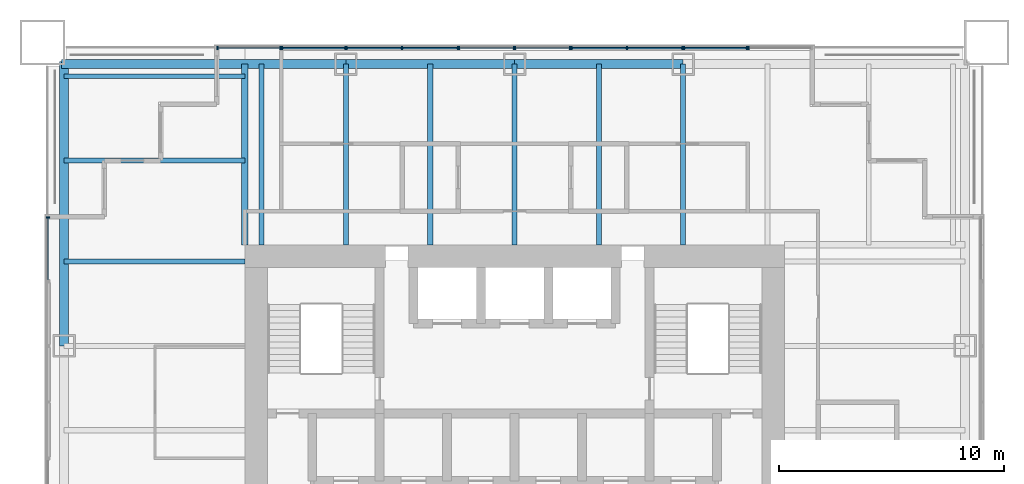
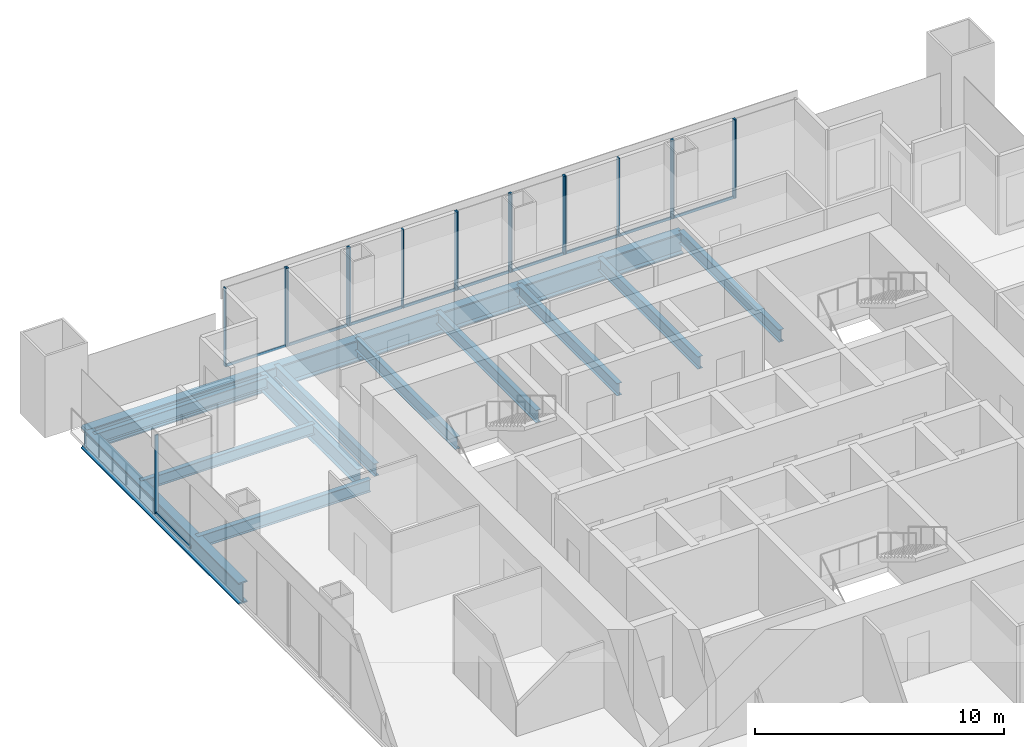
# One storey, part 6 of 14: 28 members, 14 beams, 9 elements without a shape of their own.
"""IFC4 building model written with IfcOpenShell, lengths in metres."""

from ifc_helpers import new_model, si_unit, direction, frame, origin, origin_2d, place, context, subcontext, project, spatial, rectangle, i_section, extrude, material, material_profile, profile_set, type_object, element, aggregate, save


model = new_model("IFC4")

# Units and contexts
model_context = context("Model", 3, precision=1e-05, world=origin(), true_north=direction((0.0, 1.0)))
body_context = subcontext(model_context, "Body", "Model", "MODEL_VIEW")
ifc_project = project(units=[si_unit("LENGTHUNIT", "METRE"), si_unit("AREAUNIT", "SQUARE_METRE"), si_unit("VOLUMEUNIT", "CUBIC_METRE"), si_unit("PLANEANGLEUNIT", "RADIAN"), si_unit("MASSUNIT", "GRAM", prefix="KILO")], contexts=[model_context])

# Site, building, storey
site_placement = place(None, origin())
site = spatial("IfcSite", under=ifc_project, at=site_placement, CompositionType="ELEMENT")
building_placement = place(site_placement, origin())
building = spatial("IfcBuilding", under=site, at=building_placement, Name="Tarangal Relay Tower", CompositionType="ELEMENT")
storey_placement = place(building_placement, frame((0.0, 0.0, 319.89990234375)))
storey = spatial("IfcBuildingStorey", under=building, at=storey_placement, Name="L71", CompositionType="ELEMENT", Elevation=319.89990234375)

# Beams
ifc_material_1 = material(Name="Steel ASTM A992", Category="steel")
ifc_material_profile_1 = material_profile(ifc_material_1, i_section(OverallWidth=0.209228515625, OverallDepth=0.533447265625, WebThickness=0.01025390625, FlangeThickness=0.015625, at=origin_2d()), Name="W21X62")
ifc_profile_set_1 = profile_set([ifc_material_profile_1], Name="Steel ASTM A992")
beam_type_1 = type_object("IfcBeamType", Name="Corner beam W21X62", PredefinedType="JOIST", material=ifc_profile_set_1)
for number, where, z_axis, x_axis, name in (
    (1, (-12.0, 15.75, -0.41650390625), (-1.0, 0.0, 0.0), (0.0, -1.0, 0.0), "Corner beam CB12 W L71"),
    (2, (-12.0, 19.5, -0.41650390625), (-1.0, 0.0, 0.0), (0.0, -1.0, 0.0), "Corner beam CB12 W L71"),
):
    element("IfcBeam", number, at=place(storey_placement, frame(where, z_axis=z_axis, x_axis=x_axis)), inside=storey, type_object=beam_type_1, Name=name, PredefinedType="JOIST", context=body_context, shape_type="SweptSolid", body=[
        extrude(i_section(OverallWidth=0.209228515625, OverallDepth=0.533447265625, WebThickness=0.01025390625, FlangeThickness=0.015625, at=origin_2d()), origin(), (0.0, 0.0, 1.0), 8.0400390625),
    ])
ifc_material_profile_2 = material_profile(ifc_material_1, i_section(OverallWidth=0.2919921875, OverallDepth=0.8408203125, WebThickness=0.0146484375, FlangeThickness=0.021728515625, at=origin_2d()), Name="W33X130")
ifc_profile_set_2 = profile_set([ifc_material_profile_2], Name="Steel ASTM A992")
beam_type_2 = type_object("IfcBeamType", Name="Corner girder W33X130", PredefinedType="BEAM", material=ifc_profile_set_2)
beam_1_placement = place(storey_placement, frame((-12.0, 12.0, -0.5703125), z_axis=(0.0, 1.0, 0.0), x_axis=(-1.0, 0.0, 0.0)))
element("IfcBeam", 3, at=beam_1_placement, inside=storey, type_object=beam_type_2, Name="Corner girder CG5 W L71", PredefinedType="BEAM", context=body_context, shape_type="SweptSolid", body=[
    extrude(i_section(OverallWidth=0.2919921875, OverallDepth=0.8408203125, WebThickness=0.0146484375, FlangeThickness=0.021728515625, at=origin_2d()), origin(), (0.0, 0.0, 1.0), 8.0400390625),
])
ifc_material_profile_3 = material_profile(ifc_material_1, i_section(OverallWidth=0.41162109375, OverallDepth=1.049072265625, WebThickness=0.033935546875, FlangeThickness=0.059814453125, at=origin_2d()), Name="W40X431")
ifc_profile_set_3 = profile_set([ifc_material_profile_3], Name="Steel ASTM A992")
beam_type_3 = type_object("IfcBeamType", Name="Edge girder W40X431", PredefinedType="SPANDREL", material=ifc_profile_set_3)
beam_2_placement = place(storey_placement, frame((-20.14990234375, 20.0400390625, -0.67431640625), z_axis=(1.0, 0.0, 0.0), x_axis=(0.0, 1.0, 0.0)))
element("IfcBeam", 4, at=beam_2_placement, inside=storey, type_object=beam_type_3, Name="Edge girder EG1 N L71", PredefinedType="SPANDREL", context=body_context, shape_type="SweptSolid", body=[
    extrude(i_section(OverallWidth=0.41162109375, OverallDepth=1.049072265625, WebThickness=0.033935546875, FlangeThickness=0.059814453125, at=origin_2d()), origin(), (0.0, 0.0, 1.0), 12.64990234375),
])
for number, where, z_axis, x_axis, name in (
    (5, (-7.5, 20.0400390625, -0.67431640625), (1.0, 0.0, 0.0), (0.0, 1.0, 0.0), "Edge girder EG1 N L71"),
    (6, (0.0, 20.0400390625, -0.67431640625), (1.0, 0.0, 0.0), (0.0, 1.0, 0.0), "Edge girder EG1 N L71"),
):
    element("IfcBeam", number, at=place(storey_placement, frame(where, z_axis=z_axis, x_axis=x_axis)), inside=storey, type_object=beam_type_3, Name=name, PredefinedType="SPANDREL", context=body_context, shape_type="SweptSolid", body=[
        extrude(i_section(OverallWidth=0.41162109375, OverallDepth=1.049072265625, WebThickness=0.033935546875, FlangeThickness=0.059814453125, at=origin_2d()), origin(), (0.0, 0.0, 1.0), 7.5),
    ])
beam_3_placement = place(storey_placement, frame((-20.0400390625, 7.5, -0.67431640625), z_axis=(0.0, 1.0, 0.0), x_axis=(-1.0, 0.0, 0.0)))
element("IfcBeam", 7, at=beam_3_placement, inside=storey, type_object=beam_type_3, Name="Edge girder EG1 W L71", PredefinedType="SPANDREL", context=body_context, shape_type="SweptSolid", body=[
    extrude(i_section(OverallWidth=0.41162109375, OverallDepth=1.049072265625, WebThickness=0.033935546875, FlangeThickness=0.059814453125, at=origin_2d()), origin(), (0.0, 0.0, 1.0), 12.64990234375),
])
ifc_material_profile_4 = material_profile(ifc_material_1, i_section(OverallWidth=0.228271484375, OverallDepth=0.607177734375, WebThickness=0.01123046875, FlangeThickness=0.017333984375, at=origin_2d()), Name="W24X76")
ifc_profile_set_4 = profile_set([ifc_material_profile_4], Name="Steel ASTM A992")
beam_type_4 = type_object("IfcBeamType", Name="Floor beam W24X76", PredefinedType="BEAM", material=ifc_profile_set_4)
for number, where, z_axis, x_axis, name in (
    (8, (-11.25, 12.0, -0.453369140625), (0.0, 1.0, 0.0), (-1.0, 0.0, 0.0), "Floor beam RB5 N L71"),
    (9, (-7.5, 12.0, -0.453369140625), (0.0, 1.0, 0.0), (-1.0, 0.0, 0.0), "Floor beam RB5 N L71"),
    (10, (-3.75, 12.0, -0.453369140625), (0.0, 1.0, 0.0), (-1.0, 0.0, 0.0), "Floor beam RB5 N L71"),
    (11, (0.0, 12.0, -0.453369140625), (0.0, 1.0, 0.0), (-1.0, 0.0, 0.0), "Floor beam RB5 N L71"),
    (12, (3.75, 12.0, -0.453369140625), (0.0, 1.0, 0.0), (-1.0, 0.0, 0.0), "Floor beam RB5 N L71"),
    (13, (7.5, 12.0, -0.453369140625), (0.0, 1.0, 0.0), (-1.0, 0.0, 0.0), "Floor beam RB5 N L71"),
    (14, (-12.0, 11.25, -0.453369140625), (-1.0, 0.0, 0.0), (0.0, -1.0, 0.0), "Floor beam RB5 W L71"),
):
    element("IfcBeam", number, at=place(storey_placement, frame(where, z_axis=z_axis, x_axis=x_axis)), inside=storey, type_object=beam_type_4, Name=name, PredefinedType="BEAM", context=body_context, shape_type="SweptSolid", body=[
        extrude(i_section(OverallWidth=0.228271484375, OverallDepth=0.607177734375, WebThickness=0.01123046875, FlangeThickness=0.017333984375, at=origin_2d()), origin(), (0.0, 0.0, 1.0), 8.0400390625),
    ])

# Curtain wall, members
ifc_material_2 = material(Name="Unitised curtain wall, dark glass and black aluminium", Category="aluminium")
curtain_wall_type_1 = type_object("IfcCurtainWallType", Name="Curtain wall CW-B", PredefinedType="USERDEFINED", material=ifc_material_2)
curtain_wall_1_placement = place(storey_placement, origin())
curtain_wall_1 = element("IfcCurtainWall", 15, at=curtain_wall_1_placement, inside=storey, type_object=curtain_wall_type_1, Name="Curtain wall CW-B N facade L71", ObjectType="UNITISED CURTAIN WALL", PredefinedType="USERDEFINED")
ifc_material_3 = material(Name="Black anodised aluminium mullion", Category="aluminium")
ifc_material_profile_5 = material_profile(ifc_material_3, rectangle(XDim=0.159912109375, YDim=0.06005859375, at=origin_2d()), Name="CW-BM 60X160")
ifc_profile_set_5 = profile_set([ifc_material_profile_5], Name="Black anodised aluminium mullion")
member_type_1 = type_object("IfcMemberType", Name="Mullion CW-B 60 x 160", PredefinedType="MULLION", material=ifc_profile_set_5)
member_1_placement = place(storey_placement, frame((-13.219970703125, 20.75, 0.0), z_axis=(0.0, 0.0, 1.0), x_axis=(0.0, 1.0, 0.0)))
member_1 = element("IfcMember", 16, at=member_1_placement, type_object=member_type_1, Name="CW-B mullion 1", PredefinedType="MULLION", context=body_context, shape_type="SweptSolid", body=[
    extrude(rectangle(XDim=0.159912109375, YDim=0.06005859375, at=origin_2d()), origin(), (0.0, 0.0, 1.0), 3.85009765625),
])
member_2_placement = place(storey_placement, frame((-10.405029296875, 20.75, 0.0), z_axis=(0.0, 0.0, 1.0), x_axis=(0.0, 1.0, 0.0)))
member_2 = element("IfcMember", 17, at=member_2_placement, type_object=member_type_1, Name="CW-B mullion 2", PredefinedType="MULLION", context=body_context, shape_type="SweptSolid", body=[
    extrude(rectangle(XDim=0.159912109375, YDim=0.06005859375, at=origin_2d()), origin(), (0.0, 0.0, 1.0), 3.85009765625),
])

curtain_wall_2_placement = place(storey_placement, origin())
curtain_wall_2 = element("IfcCurtainWall", 18, at=curtain_wall_2_placement, inside=storey, type_object=curtain_wall_type_1, Name="Curtain wall CW-B N facade L71", ObjectType="UNITISED CURTAIN WALL", PredefinedType="USERDEFINED")
member_3_placement = place(storey_placement, frame((-2.469970703125, 20.75, 0.0), z_axis=(0.0, 0.0, 1.0), x_axis=(0.0, 1.0, 0.0)))
member_3 = element("IfcMember", 19, at=member_3_placement, type_object=member_type_1, Name="CW-B mullion 1", PredefinedType="MULLION", context=body_context, shape_type="SweptSolid", body=[
    extrude(rectangle(XDim=0.159912109375, YDim=0.06005859375, at=origin_2d()), origin(), (0.0, 0.0, 1.0), 3.85009765625),
])
member_4_placement = place(storey_placement, frame((-0.030029296875, 20.75, 0.0), z_axis=(0.0, 0.0, 1.0), x_axis=(0.0, 1.0, 0.0)))
member_4 = element("IfcMember", 20, at=member_4_placement, type_object=member_type_1, Name="CW-B mullion 2", PredefinedType="MULLION", context=body_context, shape_type="SweptSolid", body=[
    extrude(rectangle(XDim=0.159912109375, YDim=0.06005859375, at=origin_2d()), origin(), (0.0, 0.0, 1.0), 3.85009765625),
])

curtain_wall_3_placement = place(storey_placement, origin())
curtain_wall_3 = element("IfcCurtainWall", 21, at=curtain_wall_3_placement, inside=storey, type_object=curtain_wall_type_1, Name="Curtain wall CW-B N facade L71", ObjectType="UNITISED CURTAIN WALL", PredefinedType="USERDEFINED")
member_5_placement = place(storey_placement, frame((0.030029296875, 20.75, 0.0), z_axis=(0.0, 0.0, 1.0), x_axis=(0.0, 1.0, 0.0)))
member_5 = element("IfcMember", 22, at=member_5_placement, type_object=member_type_1, Name="CW-B mullion 1", PredefinedType="MULLION", context=body_context, shape_type="SweptSolid", body=[
    extrude(rectangle(XDim=0.159912109375, YDim=0.06005859375, at=origin_2d()), origin(), (0.0, 0.0, 1.0), 3.85009765625),
])
member_6_placement = place(storey_placement, frame((2.469970703125, 20.75, 0.0), z_axis=(0.0, 0.0, 1.0), x_axis=(0.0, 1.0, 0.0)))
member_6 = element("IfcMember", 23, at=member_6_placement, type_object=member_type_1, Name="CW-B mullion 2", PredefinedType="MULLION", context=body_context, shape_type="SweptSolid", body=[
    extrude(rectangle(XDim=0.159912109375, YDim=0.06005859375, at=origin_2d()), origin(), (0.0, 0.0, 1.0), 3.85009765625),
])

# Curtain wall, member
curtain_wall_4_placement = place(storey_placement, origin())
curtain_wall_4 = element("IfcCurtainWall", 24, at=curtain_wall_4_placement, inside=storey, type_object=curtain_wall_type_1, Name="Curtain wall CW-B N facade L71", ObjectType="UNITISED CURTAIN WALL", PredefinedType="USERDEFINED")
member_7_placement = place(storey_placement, frame((10.405029296875, 20.75, 0.0), z_axis=(0.0, 0.0, 1.0), x_axis=(0.0, 1.0, 0.0)))
member_7 = element("IfcMember", 25, at=member_7_placement, type_object=member_type_1, Name="CW-B mullion 1", PredefinedType="MULLION", context=body_context, shape_type="SweptSolid", body=[
    extrude(rectangle(XDim=0.159912109375, YDim=0.06005859375, at=origin_2d()), origin(), (0.0, 0.0, 1.0), 3.85009765625),
])
aggregate(curtain_wall_4, [member_7])

curtain_wall_5_placement = place(storey_placement, origin())
curtain_wall_5 = element("IfcCurtainWall", 26, at=curtain_wall_5_placement, inside=storey, type_object=curtain_wall_type_1, Name="Curtain wall CW-B W facade L71", ObjectType="UNITISED CURTAIN WALL", PredefinedType="USERDEFINED")
member_8_placement = place(storey_placement, frame((-20.75, 13.219970703125, 0.0), z_axis=(0.0, 0.0, 1.0), x_axis=(-1.0, 0.0, 0.0)))
member_8 = element("IfcMember", 27, at=member_8_placement, type_object=member_type_1, Name="CW-B mullion 2", PredefinedType="MULLION", context=body_context, shape_type="SweptSolid", body=[
    extrude(rectangle(XDim=0.159912109375, YDim=0.06005859375, at=origin_2d()), origin(), (0.0, 0.0, 1.0), 3.85009765625),
])

# Curtain wall, members
ifc_material_4 = material(Name="Unitised curtain wall frame, black aluminium, with metal clad infill walls", Category="aluminium")
curtain_wall_type_2 = type_object("IfcCurtainWallType", Name="Curtain wall CW-BO", PredefinedType="USERDEFINED", material=ifc_material_4)
curtain_wall_6_placement = place(storey_placement, origin())
curtain_wall_6 = element("IfcCurtainWall", 28, at=curtain_wall_6_placement, inside=storey, type_object=curtain_wall_type_2, Name="Curtain wall CW-BO N facade L71", ObjectType="UNITISED CURTAIN WALL", PredefinedType="USERDEFINED")
ifc_material_profile_6 = material_profile(ifc_material_3, rectangle(XDim=0.159912109375, YDim=0.06005859375, at=origin_2d()), Name="CW-BOM 60X160")
ifc_profile_set_6 = profile_set([ifc_material_profile_6], Name="Black anodised aluminium mullion")
member_type_2 = type_object("IfcMemberType", Name="Mullion CW-BO 60 x 160", PredefinedType="MULLION", material=ifc_profile_set_6)
member_9_placement = place(storey_placement, frame((-10.344970703125, 20.75, 0.0), z_axis=(0.0, 0.0, 1.0), x_axis=(0.0, 1.0, 0.0)))
member_9 = element("IfcMember", 29, at=member_9_placement, type_object=member_type_2, Name="CW-BO mullion 1", PredefinedType="MULLION", context=body_context, shape_type="SweptSolid", body=[
    extrude(rectangle(XDim=0.159912109375, YDim=0.06005859375, at=origin_2d()), origin(), (0.0, 0.0, 1.0), 3.85009765625),
])
member_10_placement = place(storey_placement, frame((-7.530029296875, 20.75, 0.0), z_axis=(0.0, 0.0, 1.0), x_axis=(0.0, 1.0, 0.0)))
member_10 = element("IfcMember", 30, at=member_10_placement, type_object=member_type_2, Name="CW-BO mullion 2", PredefinedType="MULLION", context=body_context, shape_type="SweptSolid", body=[
    extrude(rectangle(XDim=0.159912109375, YDim=0.06005859375, at=origin_2d()), origin(), (0.0, 0.0, 1.0), 3.85009765625),
])

curtain_wall_7_placement = place(storey_placement, origin())
curtain_wall_7 = element("IfcCurtainWall", 31, at=curtain_wall_7_placement, inside=storey, type_object=curtain_wall_type_2, Name="Curtain wall CW-BO N facade L71", ObjectType="UNITISED CURTAIN WALL", PredefinedType="USERDEFINED")
member_11_placement = place(storey_placement, frame((-7.469970703125, 20.75, 0.0), z_axis=(0.0, 0.0, 1.0), x_axis=(0.0, 1.0, 0.0)))
member_11 = element("IfcMember", 32, at=member_11_placement, type_object=member_type_2, Name="CW-BO mullion 1", PredefinedType="MULLION", context=body_context, shape_type="SweptSolid", body=[
    extrude(rectangle(XDim=0.159912109375, YDim=0.06005859375, at=origin_2d()), origin(), (0.0, 0.0, 1.0), 3.85009765625),
])
member_12_placement = place(storey_placement, frame((-5.0, 20.75, 0.0), z_axis=(0.0, 0.0, 1.0), x_axis=(0.0, 1.0, 0.0)))
member_12 = element("IfcMember", 33, at=member_12_placement, type_object=member_type_2, Name="CW-BO mullion 2", PredefinedType="MULLION", context=body_context, shape_type="SweptSolid", body=[
    extrude(rectangle(XDim=0.159912109375, YDim=0.06005859375, at=origin_2d()), origin(), (0.0, 0.0, 1.0), 3.85009765625),
])
member_13_placement = place(storey_placement, frame((-2.530029296875, 20.75, 0.0), z_axis=(0.0, 0.0, 1.0), x_axis=(0.0, 1.0, 0.0)))
member_13 = element("IfcMember", 34, at=member_13_placement, type_object=member_type_2, Name="CW-BO mullion 3", PredefinedType="MULLION", context=body_context, shape_type="SweptSolid", body=[
    extrude(rectangle(XDim=0.159912109375, YDim=0.06005859375, at=origin_2d()), origin(), (0.0, 0.0, 1.0), 3.85009765625),
])

curtain_wall_8_placement = place(storey_placement, origin())
curtain_wall_8 = element("IfcCurtainWall", 35, at=curtain_wall_8_placement, inside=storey, type_object=curtain_wall_type_2, Name="Curtain wall CW-BO N facade L71", ObjectType="UNITISED CURTAIN WALL", PredefinedType="USERDEFINED")
member_14_placement = place(storey_placement, frame((2.530029296875, 20.75, 0.0), z_axis=(0.0, 0.0, 1.0), x_axis=(0.0, 1.0, 0.0)))
member_14 = element("IfcMember", 36, at=member_14_placement, type_object=member_type_2, Name="CW-BO mullion 1", PredefinedType="MULLION", context=body_context, shape_type="SweptSolid", body=[
    extrude(rectangle(XDim=0.159912109375, YDim=0.06005859375, at=origin_2d()), origin(), (0.0, 0.0, 1.0), 3.85009765625),
])
member_15_placement = place(storey_placement, frame((5.0, 20.75, 0.0), z_axis=(0.0, 0.0, 1.0), x_axis=(0.0, 1.0, 0.0)))
member_15 = element("IfcMember", 37, at=member_15_placement, type_object=member_type_2, Name="CW-BO mullion 2", PredefinedType="MULLION", context=body_context, shape_type="SweptSolid", body=[
    extrude(rectangle(XDim=0.159912109375, YDim=0.06005859375, at=origin_2d()), origin(), (0.0, 0.0, 1.0), 3.85009765625),
])
member_16_placement = place(storey_placement, frame((7.469970703125, 20.75, 0.0), z_axis=(0.0, 0.0, 1.0), x_axis=(0.0, 1.0, 0.0)))
member_16 = element("IfcMember", 38, at=member_16_placement, type_object=member_type_2, Name="CW-BO mullion 3", PredefinedType="MULLION", context=body_context, shape_type="SweptSolid", body=[
    extrude(rectangle(XDim=0.159912109375, YDim=0.06005859375, at=origin_2d()), origin(), (0.0, 0.0, 1.0), 3.85009765625),
])

curtain_wall_9_placement = place(storey_placement, origin())
curtain_wall_9 = element("IfcCurtainWall", 39, at=curtain_wall_9_placement, inside=storey, type_object=curtain_wall_type_2, Name="Curtain wall CW-BO N facade L71", ObjectType="UNITISED CURTAIN WALL", PredefinedType="USERDEFINED")
member_17_placement = place(storey_placement, frame((7.530029296875, 20.75, 0.0), z_axis=(0.0, 0.0, 1.0), x_axis=(0.0, 1.0, 0.0)))
member_17 = element("IfcMember", 40, at=member_17_placement, type_object=member_type_2, Name="CW-BO mullion 1", PredefinedType="MULLION", context=body_context, shape_type="SweptSolid", body=[
    extrude(rectangle(XDim=0.159912109375, YDim=0.06005859375, at=origin_2d()), origin(), (0.0, 0.0, 1.0), 3.85009765625),
])
member_18_placement = place(storey_placement, frame((10.344970703125, 20.75, 0.0), z_axis=(0.0, 0.0, 1.0), x_axis=(0.0, 1.0, 0.0)))
member_18 = element("IfcMember", 41, at=member_18_placement, type_object=member_type_2, Name="CW-BO mullion 2", PredefinedType="MULLION", context=body_context, shape_type="SweptSolid", body=[
    extrude(rectangle(XDim=0.159912109375, YDim=0.06005859375, at=origin_2d()), origin(), (0.0, 0.0, 1.0), 3.85009765625),
])

# Member
ifc_material_5 = material(Name="Black anodised aluminium transom", Category="aluminium")
ifc_material_profile_7 = material_profile(ifc_material_5, rectangle(XDim=0.06005859375, YDim=0.1298828125, at=origin_2d()), Name="CW-BT 60X130")
ifc_profile_set_7 = profile_set([ifc_material_profile_7], Name="Black anodised aluminium transom")
member_type_3 = type_object("IfcMemberType", Name="Transom CW-B 60 x 130", PredefinedType="USERDEFINED", material=ifc_profile_set_7)
member_19_placement = place(storey_placement, frame((-13.18994140625, 20.75, 0.030029296875), z_axis=(1.0, 0.0, 0.0), x_axis=(0.0, 1.0, 0.0)))
member_19 = element("IfcMember", 42, at=member_19_placement, type_object=member_type_3, Name="CW-B transom 1.1", ObjectType="TRANSOM", PredefinedType="USERDEFINED", context=body_context, shape_type="SweptSolid", body=[
    extrude(rectangle(XDim=0.06005859375, YDim=0.1298828125, at=origin_2d()), origin(), (0.0, 0.0, 1.0), 2.7548828125),
])

aggregate(curtain_wall_1, [member_1, member_2, member_19])

member_20_placement = place(storey_placement, frame((-2.43994140625, 20.75, 0.030029296875), z_axis=(1.0, 0.0, 0.0), x_axis=(0.0, 1.0, 0.0)))
member_20 = element("IfcMember", 43, at=member_20_placement, type_object=member_type_3, Name="CW-B transom 1.1", ObjectType="TRANSOM", PredefinedType="USERDEFINED", context=body_context, shape_type="SweptSolid", body=[
    extrude(rectangle(XDim=0.06005859375, YDim=0.1298828125, at=origin_2d()), origin(), (0.0, 0.0, 1.0), 2.3798828125),
])

aggregate(curtain_wall_2, [member_3, member_4, member_20])

member_21_placement = place(storey_placement, frame((0.06005859375, 20.75, 0.030029296875), z_axis=(1.0, 0.0, 0.0), x_axis=(0.0, 1.0, 0.0)))
member_21 = element("IfcMember", 44, at=member_21_placement, type_object=member_type_3, Name="CW-B transom 1.1", ObjectType="TRANSOM", PredefinedType="USERDEFINED", context=body_context, shape_type="SweptSolid", body=[
    extrude(rectangle(XDim=0.06005859375, YDim=0.1298828125, at=origin_2d()), origin(), (0.0, 0.0, 1.0), 2.3798828125),
])

aggregate(curtain_wall_3, [member_5, member_6, member_21])

member_22_placement = place(storey_placement, frame((-20.75, 10.43505859375, 0.030029296875), z_axis=(0.0, 1.0, 0.0), x_axis=(-1.0, 0.0, 0.0)))
member_22 = element("IfcMember", 45, at=member_22_placement, type_object=member_type_3, Name="CW-B transom 1.1", ObjectType="TRANSOM", PredefinedType="USERDEFINED", context=body_context, shape_type="SweptSolid", body=[
    extrude(rectangle(XDim=0.06005859375, YDim=0.1298828125, at=origin_2d()), origin(), (0.0, 0.0, 1.0), 2.7548828125),
])

aggregate(curtain_wall_5, [member_8, member_22])

ifc_material_profile_8 = material_profile(ifc_material_5, rectangle(XDim=0.06005859375, YDim=0.1298828125, at=origin_2d()), Name="CW-BOT 60X130")
ifc_profile_set_8 = profile_set([ifc_material_profile_8], Name="Black anodised aluminium transom")
member_type_4 = type_object("IfcMemberType", Name="Transom CW-BO 60 x 130", PredefinedType="USERDEFINED", material=ifc_profile_set_8)
member_23_placement = place(storey_placement, frame((-10.31494140625, 20.75, 0.030029296875), z_axis=(1.0, 0.0, 0.0), x_axis=(0.0, 1.0, 0.0)))
member_23 = element("IfcMember", 46, at=member_23_placement, type_object=member_type_4, Name="CW-BO transom 1.1", ObjectType="TRANSOM", PredefinedType="USERDEFINED", context=body_context, shape_type="SweptSolid", body=[
    extrude(rectangle(XDim=0.06005859375, YDim=0.1298828125, at=origin_2d()), origin(), (0.0, 0.0, 1.0), 2.7548828125),
])

aggregate(curtain_wall_6, [member_9, member_10, member_23])

member_24_placement = place(storey_placement, frame((-7.43994140625, 20.75, 0.030029296875), z_axis=(1.0, 0.0, 0.0), x_axis=(0.0, 1.0, 0.0)))
member_24 = element("IfcMember", 47, at=member_24_placement, type_object=member_type_4, Name="CW-BO transom 1.1", ObjectType="TRANSOM", PredefinedType="USERDEFINED", context=body_context, shape_type="SweptSolid", body=[
    extrude(rectangle(XDim=0.06005859375, YDim=0.1298828125, at=origin_2d()), origin(), (0.0, 0.0, 1.0), 2.409912109375),
])

member_25_placement = place(storey_placement, frame((-4.969970703125, 20.75, 0.030029296875), z_axis=(1.0, 0.0, 0.0), x_axis=(0.0, 1.0, 0.0)))
member_25 = element("IfcMember", 48, at=member_25_placement, type_object=member_type_4, Name="CW-BO transom 2.1", ObjectType="TRANSOM", PredefinedType="USERDEFINED", context=body_context, shape_type="SweptSolid", body=[
    extrude(rectangle(XDim=0.06005859375, YDim=0.1298828125, at=origin_2d()), origin(), (0.0, 0.0, 1.0), 2.409912109375),
])

aggregate(curtain_wall_7, [member_11, member_12, member_13, member_24, member_25])

member_26_placement = place(storey_placement, frame((2.56005859375, 20.75, 0.030029296875), z_axis=(1.0, 0.0, 0.0), x_axis=(0.0, 1.0, 0.0)))
member_26 = element("IfcMember", 49, at=member_26_placement, type_object=member_type_4, Name="CW-BO transom 1.1", ObjectType="TRANSOM", PredefinedType="USERDEFINED", context=body_context, shape_type="SweptSolid", body=[
    extrude(rectangle(XDim=0.06005859375, YDim=0.1298828125, at=origin_2d()), origin(), (0.0, 0.0, 1.0), 2.409912109375),
])

member_27_placement = place(storey_placement, frame((5.030029296875, 20.75, 0.030029296875), z_axis=(1.0, 0.0, 0.0), x_axis=(0.0, 1.0, 0.0)))
member_27 = element("IfcMember", 50, at=member_27_placement, type_object=member_type_4, Name="CW-BO transom 2.1", ObjectType="TRANSOM", PredefinedType="USERDEFINED", context=body_context, shape_type="SweptSolid", body=[
    extrude(rectangle(XDim=0.06005859375, YDim=0.1298828125, at=origin_2d()), origin(), (0.0, 0.0, 1.0), 2.409912109375),
])

aggregate(curtain_wall_8, [member_14, member_15, member_16, member_26, member_27])

member_28_placement = place(storey_placement, frame((7.56005859375, 20.75, 0.030029296875), z_axis=(1.0, 0.0, 0.0), x_axis=(0.0, 1.0, 0.0)))
member_28 = element("IfcMember", 51, at=member_28_placement, type_object=member_type_4, Name="CW-BO transom 1.1", ObjectType="TRANSOM", PredefinedType="USERDEFINED", context=body_context, shape_type="SweptSolid", body=[
    extrude(rectangle(XDim=0.06005859375, YDim=0.1298828125, at=origin_2d()), origin(), (0.0, 0.0, 1.0), 2.7548828125),
])

aggregate(curtain_wall_9, [member_17, member_18, member_28])

save(model, "model.ifc")
